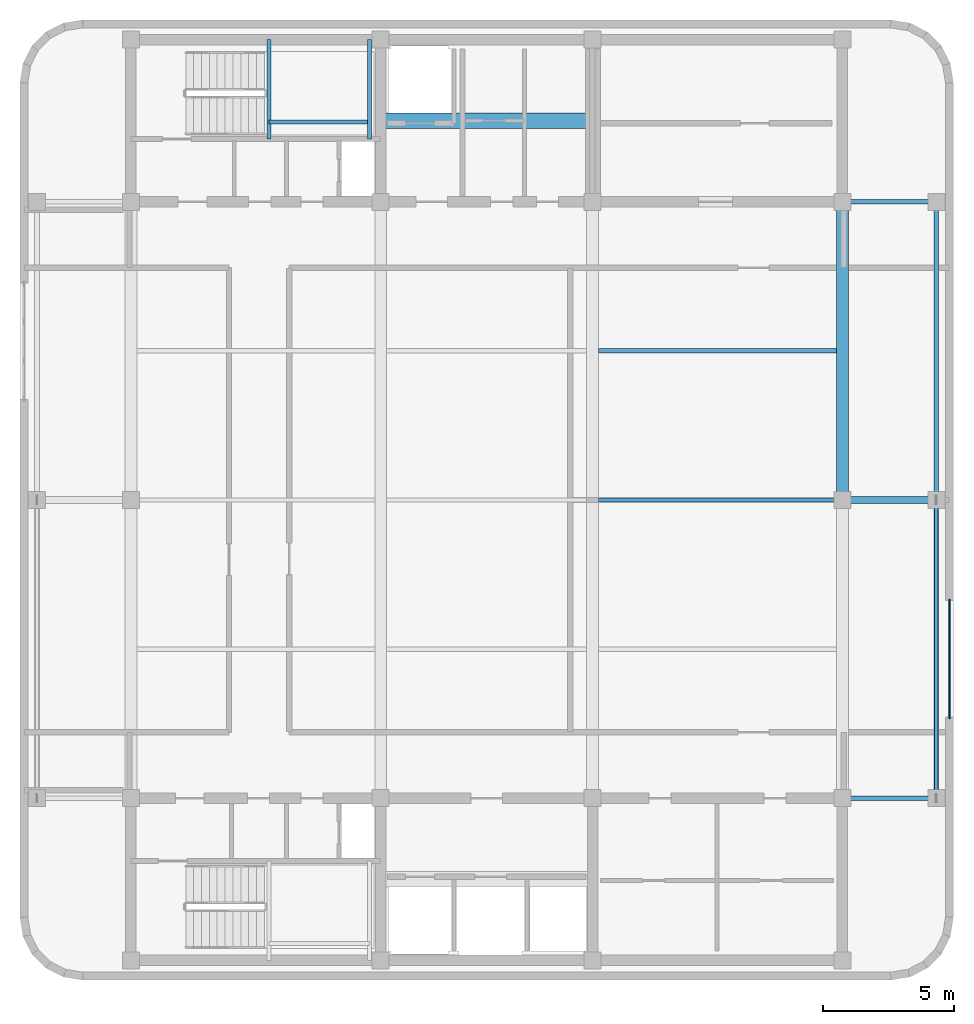
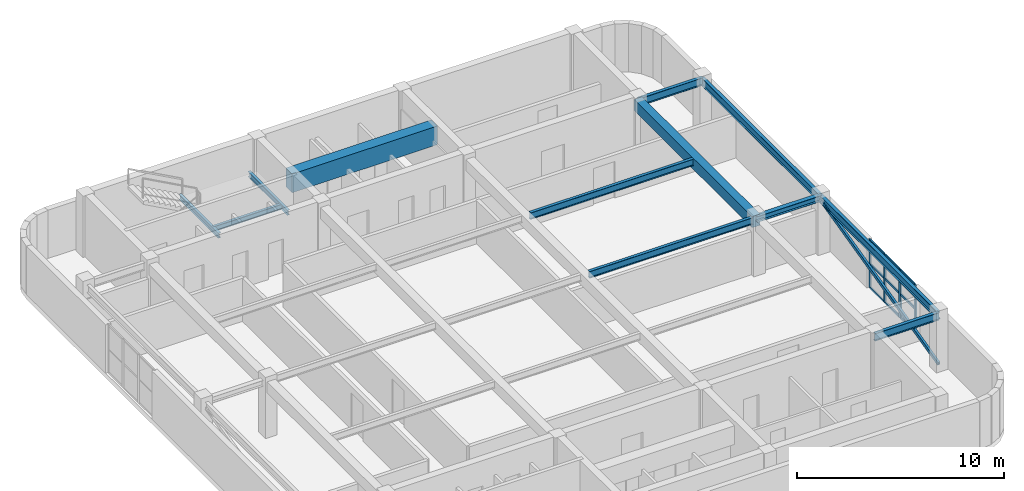
# One storey, part 3 of 9: 14 members, 12 beams, 1 element without a shape of its own.
"""IFC4 building model written with IfcOpenShell, lengths in metres."""

from ifc_helpers import new_model, si_unit, direction, frame, origin, origin_2d, place, context, subcontext, project, spatial, rectangle, hollow_rectangle, i_section, extrude, material, material_profile, profile_set, type_object, element, aggregate, save


model = new_model("IFC4")

# Units and contexts
model_context = context("Model", 3, precision=1e-05, world=origin(), true_north=direction((0.0, 1.0)))
body_context = subcontext(model_context, "Body", "Model", "MODEL_VIEW")
ifc_project = project(units=[si_unit("LENGTHUNIT", "METRE"), si_unit("AREAUNIT", "SQUARE_METRE"), si_unit("VOLUMEUNIT", "CUBIC_METRE"), si_unit("PLANEANGLEUNIT", "RADIAN"), si_unit("MASSUNIT", "GRAM", prefix="KILO")], contexts=[model_context])

# Site, building, storey
site_placement = place(None, origin())
site = spatial("IfcSite", under=ifc_project, at=site_placement, CompositionType="ELEMENT")
building_placement = place(site_placement, origin())
building = spatial("IfcBuilding", under=site, at=building_placement, Name="Svetorya Sky Lyceum", CompositionType="ELEMENT")
storey_placement = place(building_placement, frame((0.0, 0.0, 309.199951171875)))
storey = spatial("IfcBuildingStorey", under=building, at=storey_placement, Name="C03", CompositionType="ELEMENT", Elevation=309.199951171875)

# Beams
ifc_material_1 = material(Name="Concrete C60/75", Category="concrete")
ifc_material_profile_1 = material_profile(ifc_material_1, rectangle(XDim=0.60009765625, YDim=1.10009765625, at=origin_2d()), Name="RC COUPLING 600x1100")
ifc_profile_set_1 = profile_set([ifc_material_profile_1], Name="Concrete C60/75")
beam_type_1 = type_object("IfcBeamType", Name="BM-CPL-1100", PredefinedType="LINTEL", material=ifc_profile_set_1)
beam_1_placement = place(storey_placement, frame((35.14990234375, 42.699951171875, 2.77001953125), z_axis=(1.0, 0.0, 0.0), x_axis=(0.0, 1.0, 0.0)))
element("IfcBeam", 1, at=beam_1_placement, inside=storey, type_object=beam_type_1, Name="C03 NC Core Coupling Beam", PredefinedType="LINTEL", context=body_context, shape_type="SweptSolid", body=[
    extrude(rectangle(XDim=0.60009765625, YDim=1.10009765625, at=origin_2d()), origin(), (0.0, 0.0, 1.0), 8.10009765625),
])
ifc_material_2 = material(Name="Concrete C40/50", Category="concrete")
ifc_material_profile_2 = material_profile(ifc_material_2, rectangle(XDim=0.449951171875, YDim=0.64990234375, at=origin_2d()), Name="RC BEAM 450x650")
ifc_profile_set_2 = profile_set([ifc_material_profile_2], Name="Concrete C40/50")
beam_type_2 = type_object("IfcBeamType", Name="BM-RC-650", PredefinedType="BEAM", material=ifc_profile_set_2)
beam_2_placement = place(storey_placement, frame((52.800048828125, 28.199951171875, 2.9951171875), z_axis=(0.0, 1.0, 0.0), x_axis=(-1.0, 0.0, 0.0)))
element("IfcBeam", 2, at=beam_2_placement, inside=storey, type_object=beam_type_2, Name="C03 Central Bay Primary Girder CG-4B", PredefinedType="BEAM", context=body_context, shape_type="SweptSolid", body=[
    extrude(rectangle(XDim=0.449951171875, YDim=0.64990234375, at=origin_2d()), origin(), (0.0, 0.0, 1.0), 11.400146484375),
])
ifc_material_3 = material(Name="Steel S355", Category="steel")
ifc_material_profile_3 = material_profile(ifc_material_3, i_section(OverallWidth=0.14990234375, OverallDepth=0.299072265625, WebThickness=0.006591796875, FlangeThickness=0.010498046875, at=origin_2d()), Name="GOST 30B2")
ifc_profile_set_3 = profile_set([ifc_material_profile_3], Name="Steel S355")
beam_type_3 = type_object("IfcBeamType", Name="BM-STL-30B2", PredefinedType="JOIST", material=ifc_profile_set_3)
for number, where, z_axis, x_axis, name in (
    (3, (30.8798828125, 42.0, 1.450439453125), (0.0, 1.0, 0.0), (-1.0, 0.0, 0.0), "C03 Stair ST-N Half-Landing Support Beam 86.1"),
    (4, (34.719970703125, 42.0, 1.450439453125), (0.0, 1.0, 0.0), (-1.0, 0.0, 0.0), "C03 Stair ST-N Half-Landing Support Beam 86.2"),
):
    element("IfcBeam", number, at=place(storey_placement, frame(where, z_axis=z_axis, x_axis=x_axis)), inside=storey, type_object=beam_type_3, Name=name, PredefinedType="JOIST", context=body_context, shape_type="SweptSolid", body=[
        extrude(i_section(OverallWidth=0.14990234375, OverallDepth=0.299072265625, WebThickness=0.006591796875, FlangeThickness=0.010498046875, at=origin_2d()), origin(), (0.0, 0.0, 1.0), 3.800048828125),
    ])
beam_3_placement = place(storey_placement, frame((30.8798828125, 42.64990234375, 1.450439453125), z_axis=(1.0, 0.0, 0.0), x_axis=(0.0, 1.0, 0.0)))
element("IfcBeam", 5, at=beam_3_placement, inside=storey, type_object=beam_type_3, Name="C03 Stair ST-N Half-Landing Cross Tie 86", PredefinedType="JOIST", context=body_context, shape_type="SweptSolid", body=[
    extrude(i_section(OverallWidth=0.14990234375, OverallDepth=0.299072265625, WebThickness=0.006591796875, FlangeThickness=0.010498046875, at=origin_2d()), origin(), (0.0, 0.0, 1.0), 3.840087890625),
])
ifc_material_profile_4 = material_profile(ifc_material_3, i_section(OverallWidth=0.25, OverallDepth=0.345947265625, WebThickness=0.009521484375, FlangeThickness=0.014404296875, at=origin_2d()), Name="GOST 35Sh2")
ifc_profile_set_4 = profile_set([ifc_material_profile_4], Name="Steel S355")
beam_type_4 = type_object("IfcBeamType", Name="BM-STL-35SH2", PredefinedType="BEAM", material=ifc_profile_set_4)
beam_4_placement = place(storey_placement, frame((52.800048828125, 28.199951171875, 3.14697265625), z_axis=(1.0, 0.0, 0.0), x_axis=(0.0, 1.0, 0.0)))
element("IfcBeam", 6, at=beam_4_placement, inside=storey, type_object=beam_type_4, Name="C03 East Wing Floor Joist E2", PredefinedType="BEAM", context=body_context, shape_type="SweptSolid", body=[
    extrude(i_section(OverallWidth=0.25, OverallDepth=0.345947265625, WebThickness=0.009521484375, FlangeThickness=0.014404296875, at=origin_2d()), origin(), (0.0, 0.0, 1.0), 3.58984375),
])
ifc_material_profile_5 = material_profile(ifc_material_3, i_section(OverallWidth=0.1650390625, OverallDepth=0.39990234375, WebThickness=0.008056640625, FlangeThickness=0.012939453125, at=origin_2d()), Name="GOST 40B2")
ifc_profile_set_5 = profile_set([ifc_material_profile_5], Name="Steel S355")
beam_type_5 = type_object("IfcBeamType", Name="BM-STL-40B2", PredefinedType="JOIST", material=ifc_profile_set_5)
for number, where, z_axis, x_axis, name in (
    (7, (43.47509765625, 28.199951171875, 3.1201171875), (1.0, 0.0, 0.0), (0.0, 1.0, 0.0), "C03 Central Floor Joist CJ-2.3"),
    (8, (43.47509765625, 33.89990234375, 3.1201171875), (1.0, 0.0, 0.0), (0.0, 1.0, 0.0), "C03 Central Floor Joist CJ-3.3"),
):
    element("IfcBeam", number, at=place(storey_placement, frame(where, z_axis=z_axis, x_axis=x_axis)), inside=storey, type_object=beam_type_5, Name=name, PredefinedType="JOIST", context=body_context, shape_type="SweptSolid", body=[
        extrude(i_section(OverallWidth=0.1650390625, OverallDepth=0.39990234375, WebThickness=0.008056640625, FlangeThickness=0.012939453125, at=origin_2d()), origin(), (0.0, 0.0, 1.0), 9.099853515625),
    ])
ifc_material_profile_6 = material_profile(ifc_material_3, i_section(OverallWidth=0.179931640625, OverallDepth=0.449951171875, WebThickness=0.009033203125, FlangeThickness=0.014404296875, at=origin_2d()), Name="GOST 45B2")
ifc_profile_set_6 = profile_set([ifc_material_profile_6], Name="Steel S355")
beam_type_6 = type_object("IfcBeamType", Name="BM-STL-45B2", PredefinedType="SPANDREL", material=ifc_profile_set_6)
for number, where, z_axis, x_axis, name in (
    (9, (52.800048828125, 16.800048828125, 3.094970703125), (1.0, 0.0, 0.0), (0.0, 1.0, 0.0), "C03 Tie Spandrel SE"),
    (10, (52.800048828125, 39.60009765625, 3.094970703125), (1.0, 0.0, 0.0), (0.0, 1.0, 0.0), "C03 Tie Spandrel NE"),
):
    element("IfcBeam", number, at=place(storey_placement, frame(where, z_axis=z_axis, x_axis=x_axis)), inside=storey, type_object=beam_type_6, Name=name, PredefinedType="SPANDREL", context=body_context, shape_type="SweptSolid", body=[
        extrude(i_section(OverallWidth=0.179931640625, OverallDepth=0.449951171875, WebThickness=0.009033203125, FlangeThickness=0.014404296875, at=origin_2d()), origin(), (0.0, 0.0, 1.0), 3.58984375),
    ])
beam_5_placement = place(storey_placement, frame((56.389892578125, 16.800048828125, 3.094970703125), z_axis=(0.0, 1.0, 0.0), x_axis=(-1.0, 0.0, 0.0)))
element("IfcBeam", 11, at=beam_5_placement, inside=storey, type_object=beam_type_6, Name="C03 East Spandrel 1", PredefinedType="SPANDREL", context=body_context, shape_type="SweptSolid", body=[
    extrude(i_section(OverallWidth=0.179931640625, OverallDepth=0.449951171875, WebThickness=0.009033203125, FlangeThickness=0.014404296875, at=origin_2d()), origin(), (0.0, 0.0, 1.0), 11.39990234375),
])
beam_6_placement = place(storey_placement, frame((56.389892578125, 28.199951171875, 3.094970703125), z_axis=(0.0, 1.0, 0.0), x_axis=(-1.0, 0.0, 0.0)))
element("IfcBeam", 12, at=beam_6_placement, inside=storey, type_object=beam_type_6, Name="C03 East Spandrel 2", PredefinedType="SPANDREL", context=body_context, shape_type="SweptSolid", body=[
    extrude(i_section(OverallWidth=0.179931640625, OverallDepth=0.449951171875, WebThickness=0.009033203125, FlangeThickness=0.014404296875, at=origin_2d()), origin(), (0.0, 0.0, 1.0), 11.400146484375),
])

# Curtain wall, members
ifc_material_4 = material(Name="Thermally broken anodized aluminium and triple low-E glass", Category="aluminium")
curtain_wall_type = type_object("IfcCurtainWallType", Name="CW5-LVR-PLT", PredefinedType="NOTDEFINED", material=ifc_material_4)
curtain_wall_placement = place(storey_placement, origin())
curtain_wall = element("IfcCurtainWall", 13, at=curtain_wall_placement, inside=storey, type_object=curtain_wall_type, Name="C03 Acoustic Plant Louvre Curtain Wall 12", PredefinedType="NOTDEFINED")
ifc_material_5 = material(Name="Thermally broken anodized aluminium EN AW-6060", Category="aluminium")
ifc_material_profile_7 = material_profile(ifc_material_5, rectangle(XDim=0.06494140625, YDim=0.179931640625, at=origin_2d()), Name="ALU MULLION 65x180")
ifc_profile_set_7 = profile_set([ifc_material_profile_7], Name="Thermally broken anodized aluminium EN AW-6060")
member_type_1 = type_object("IfcMemberType", Name="CWM-MUL-180", PredefinedType="MULLION", material=ifc_profile_set_7)
member_1_placement = place(storey_placement, frame((56.889892578125, 19.9326171875, 0.0), z_axis=(0.0, 0.0, 1.0), x_axis=(-1.0, 0.0, 0.0)))
member_1 = element("IfcMember", 14, at=member_1_placement, type_object=member_type_1, Name="CW-5 mullion 1", PredefinedType="MULLION", context=body_context, shape_type="SweptSolid", body=[
    extrude(rectangle(XDim=0.06494140625, YDim=0.179931640625, at=origin_2d()), origin(), (0.0, 0.0, 1.0), 2.840087890625),
])
member_2_placement = place(storey_placement, frame((56.889892578125, 21.38330078125, 0.0), z_axis=(0.0, 0.0, 1.0), x_axis=(-1.0, 0.0, 0.0)))
member_2 = element("IfcMember", 15, at=member_2_placement, type_object=member_type_1, Name="CW-5 mullion 2", PredefinedType="MULLION", context=body_context, shape_type="SweptSolid", body=[
    extrude(rectangle(XDim=0.06494140625, YDim=0.179931640625, at=origin_2d()), origin(), (0.0, 0.0, 1.0), 2.840087890625),
])
member_3_placement = place(storey_placement, frame((56.889892578125, 22.86669921875, 0.0), z_axis=(0.0, 0.0, 1.0), x_axis=(-1.0, 0.0, 0.0)))
member_3 = element("IfcMember", 16, at=member_3_placement, type_object=member_type_1, Name="CW-5 mullion 3", PredefinedType="MULLION", context=body_context, shape_type="SweptSolid", body=[
    extrude(rectangle(XDim=0.06494140625, YDim=0.179931640625, at=origin_2d()), origin(), (0.0, 0.0, 1.0), 2.840087890625),
])
member_4_placement = place(storey_placement, frame((56.889892578125, 24.3173828125, 0.0), z_axis=(0.0, 0.0, 1.0), x_axis=(-1.0, 0.0, 0.0)))
member_4 = element("IfcMember", 17, at=member_4_placement, type_object=member_type_1, Name="CW-5 mullion 4", PredefinedType="MULLION", context=body_context, shape_type="SweptSolid", body=[
    extrude(rectangle(XDim=0.06494140625, YDim=0.179931640625, at=origin_2d()), origin(), (0.0, 0.0, 1.0), 2.840087890625),
])
ifc_material_profile_8 = material_profile(ifc_material_5, rectangle(XDim=0.06494140625, YDim=0.139892578125, at=origin_2d()), Name="ALU TRANSOM 65x140")
ifc_profile_set_8 = profile_set([ifc_material_profile_8], Name="Thermally broken anodized aluminium EN AW-6060")
member_type_2 = type_object("IfcMemberType", Name="CWM-TRN-140", PredefinedType="USERDEFINED", material=ifc_profile_set_8)
member_5_placement = place(storey_placement, frame((56.889892578125, 19.96337890625, 0.032470703125), z_axis=(0.0, 1.0, 0.0), x_axis=(-1.0, 0.0, 0.0)))
member_5 = element("IfcMember", 18, at=member_5_placement, type_object=member_type_2, Name="CW-5 transom 1.1", ObjectType="TRANSOM", PredefinedType="USERDEFINED", context=body_context, shape_type="SweptSolid", body=[
    extrude(rectangle(XDim=0.06494140625, YDim=0.139892578125, at=origin_2d()), origin(), (0.0, 0.0, 1.0), 1.388916015625),
])
member_6_placement = place(storey_placement, frame((56.889892578125, 19.96337890625, 1.420166015625), z_axis=(0.0, 1.0, 0.0), x_axis=(-1.0, 0.0, 0.0)))
member_6 = element("IfcMember", 19, at=member_6_placement, type_object=member_type_2, Name="CW-5 transom 1.2", ObjectType="TRANSOM", PredefinedType="USERDEFINED", context=body_context, shape_type="SweptSolid", body=[
    extrude(rectangle(XDim=0.06494140625, YDim=0.139892578125, at=origin_2d()), origin(), (0.0, 0.0, 1.0), 1.388916015625),
])
member_7_placement = place(storey_placement, frame((56.889892578125, 19.96337890625, 2.8076171875), z_axis=(0.0, 1.0, 0.0), x_axis=(-1.0, 0.0, 0.0)))
member_7 = element("IfcMember", 20, at=member_7_placement, type_object=member_type_2, Name="CW-5 transom 1.3", ObjectType="TRANSOM", PredefinedType="USERDEFINED", context=body_context, shape_type="SweptSolid", body=[
    extrude(rectangle(XDim=0.06494140625, YDim=0.139892578125, at=origin_2d()), origin(), (0.0, 0.0, 1.0), 1.388916015625),
])
member_8_placement = place(storey_placement, frame((56.889892578125, 21.414306640625, 0.032470703125), z_axis=(0.0, 1.0, 0.0), x_axis=(-1.0, 0.0, 0.0)))
member_8 = element("IfcMember", 21, at=member_8_placement, type_object=member_type_2, Name="CW-5 transom 2.1", ObjectType="TRANSOM", PredefinedType="USERDEFINED", context=body_context, shape_type="SweptSolid", body=[
    extrude(rectangle(XDim=0.06494140625, YDim=0.139892578125, at=origin_2d()), origin(), (0.0, 0.0, 1.0), 1.42138671875),
])
member_9_placement = place(storey_placement, frame((56.889892578125, 21.414306640625, 1.420166015625), z_axis=(0.0, 1.0, 0.0), x_axis=(-1.0, 0.0, 0.0)))
member_9 = element("IfcMember", 22, at=member_9_placement, type_object=member_type_2, Name="CW-5 transom 2.2", ObjectType="TRANSOM", PredefinedType="USERDEFINED", context=body_context, shape_type="SweptSolid", body=[
    extrude(rectangle(XDim=0.06494140625, YDim=0.139892578125, at=origin_2d()), origin(), (0.0, 0.0, 1.0), 1.42138671875),
])
member_10_placement = place(storey_placement, frame((56.889892578125, 21.414306640625, 2.8076171875), z_axis=(0.0, 1.0, 0.0), x_axis=(-1.0, 0.0, 0.0)))
member_10 = element("IfcMember", 23, at=member_10_placement, type_object=member_type_2, Name="CW-5 transom 2.3", ObjectType="TRANSOM", PredefinedType="USERDEFINED", context=body_context, shape_type="SweptSolid", body=[
    extrude(rectangle(XDim=0.06494140625, YDim=0.139892578125, at=origin_2d()), origin(), (0.0, 0.0, 1.0), 1.42138671875),
])
member_11_placement = place(storey_placement, frame((56.889892578125, 22.897705078125, 0.032470703125), z_axis=(0.0, 1.0, 0.0), x_axis=(-1.0, 0.0, 0.0)))
member_11 = element("IfcMember", 24, at=member_11_placement, type_object=member_type_2, Name="CW-5 transom 3.1", ObjectType="TRANSOM", PredefinedType="USERDEFINED", context=body_context, shape_type="SweptSolid", body=[
    extrude(rectangle(XDim=0.06494140625, YDim=0.139892578125, at=origin_2d()), origin(), (0.0, 0.0, 1.0), 1.388916015625),
])
member_12_placement = place(storey_placement, frame((56.889892578125, 22.897705078125, 1.420166015625), z_axis=(0.0, 1.0, 0.0), x_axis=(-1.0, 0.0, 0.0)))
member_12 = element("IfcMember", 25, at=member_12_placement, type_object=member_type_2, Name="CW-5 transom 3.2", ObjectType="TRANSOM", PredefinedType="USERDEFINED", context=body_context, shape_type="SweptSolid", body=[
    extrude(rectangle(XDim=0.06494140625, YDim=0.139892578125, at=origin_2d()), origin(), (0.0, 0.0, 1.0), 1.388916015625),
])
member_13_placement = place(storey_placement, frame((56.889892578125, 22.897705078125, 2.8076171875), z_axis=(0.0, 1.0, 0.0), x_axis=(-1.0, 0.0, 0.0)))
member_13 = element("IfcMember", 26, at=member_13_placement, type_object=member_type_2, Name="CW-5 transom 3.3", ObjectType="TRANSOM", PredefinedType="USERDEFINED", context=body_context, shape_type="SweptSolid", body=[
    extrude(rectangle(XDim=0.06494140625, YDim=0.139892578125, at=origin_2d()), origin(), (0.0, 0.0, 1.0), 1.388916015625),
])
aggregate(curtain_wall, [member_1, member_2, member_3, member_4, member_5, member_6, member_7, member_8, member_9, member_10, member_11, member_12, member_13])

# Member
ifc_material_profile_9 = material_profile(ifc_material_3, hollow_rectangle(XDim=0.1201171875, YDim=0.199951171875, WallThickness=0.008056640625, at=origin_2d()), Name="RHS 200x120x8")
ifc_profile_set_9 = profile_set([ifc_material_profile_9], Name="Steel S355")
member_type_3 = type_object("IfcMemberType", Name="MB-STR-RHS200", PredefinedType="STRUT", material=ifc_profile_set_9)
member_14_placement = place(storey_placement, frame((56.389892578125, 16.800048828125, 0.25), z_axis=(0.0, 0.971724925391, 0.236115796537), x_axis=(-1.0, 0.0, 0.0)))
element("IfcMember", 27, at=member_14_placement, inside=storey, type_object=member_type_3, Name="C03 Crown Perimeter Frame Brace E", PredefinedType="STRUT", context=body_context, shape_type="SweptSolid", body=[
    extrude(hollow_rectangle(XDim=0.1201171875, YDim=0.199951171875, WallThickness=0.008056640625, at=origin_2d()), origin(), (0.0, 0.0, 1.0), 11.731689453125),
])

save(model, "model.ifc")
